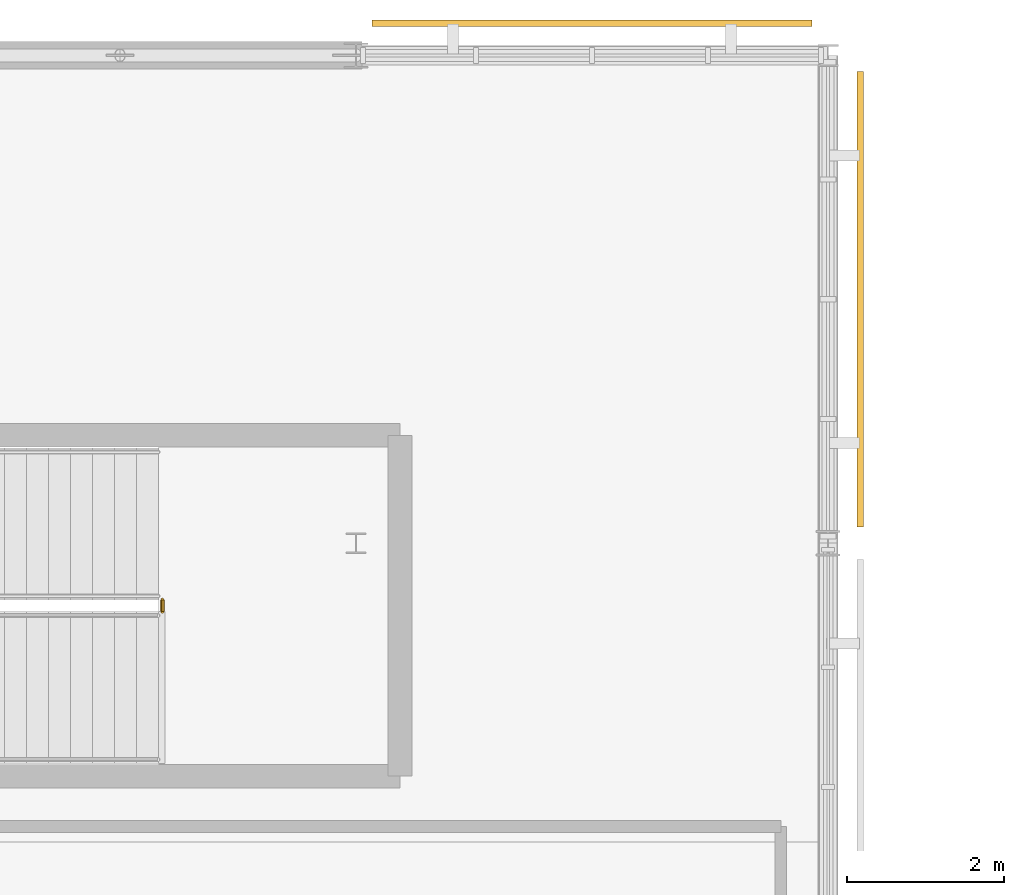
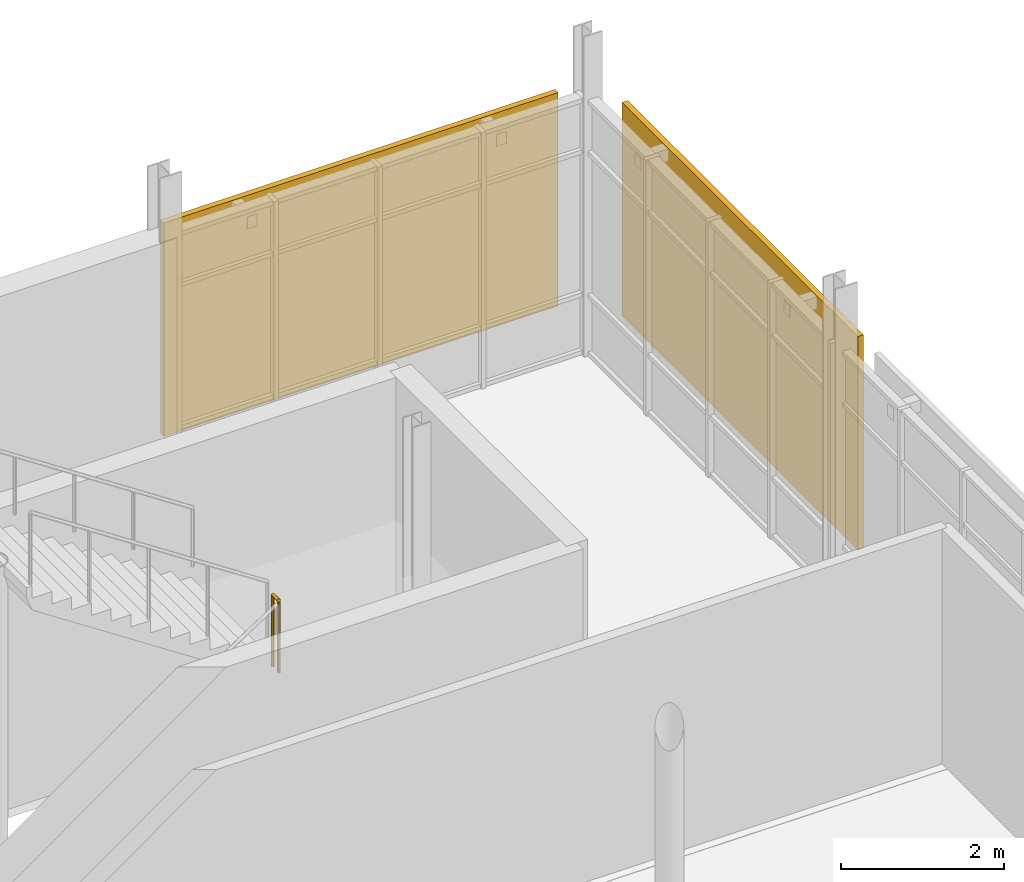
# One storey, part 84 of 84: 2 shading devices, 1 railing.
"""IFC4 building model written with IfcOpenShell, lengths in metres."""

from ifc_helpers import new_model, si_unit, direction, frame, origin, origin_2d, place, context, subcontext, project, spatial, rectangle, circle, extrude, material, layer, layer_set, type_object, element, save


model = new_model("IFC4")

# Units and contexts
model_context = context("Model", 3, precision=1e-05, world=origin(), true_north=direction((0.0, 1.0)))
body_context = subcontext(model_context, "Body", "Model", "MODEL_VIEW")
ifc_project = project(units=[si_unit("LENGTHUNIT", "METRE"), si_unit("AREAUNIT", "SQUARE_METRE"), si_unit("VOLUMEUNIT", "CUBIC_METRE"), si_unit("PLANEANGLEUNIT", "RADIAN"), si_unit("MASSUNIT", "GRAM", prefix="KILO")], contexts=[model_context])

# Site, building, storey
site_placement = place(None, origin())
site = spatial("IfcSite", under=ifc_project, at=site_placement, CompositionType="ELEMENT")
building_placement = place(site_placement, origin())
building = spatial("IfcBuilding", under=site, at=building_placement, Name="Mirzam Square Science Centre", CompositionType="ELEMENT")
storey_placement = place(building_placement, frame((0.0, 0.0, 10.800048828125)))
storey = spatial("IfcBuildingStorey", under=building, at=storey_placement, Name="L02", CompositionType="ELEMENT", Elevation=10.800048828125)

# Railing
ifc_material_1 = material(Name="Bronze-Anodised Architectural Balustrade", Category="aluminium")
railing_type = type_object("IfcRailingType", Name="RL-INT-GUARD-1100", PredefinedType="GUARDRAIL", material=ifc_material_1)
railing_placement = place(storey_placement, frame((129.5400390625, 104.530029296875, 2.39990234375)))
element("IfcRailing", 1, at=railing_placement, inside=storey, type_object=railing_type, Name="L02 ST-11 stair guard 2", PredefinedType="GUARDRAIL", context=body_context, shape_type="SweptSolid", body=[
    extrude(circle(Radius=0.02392578125, at=origin_2d()), frame((0.0, 0.0, 1.076171875), z_axis=(0.0, 1.0, 0.0), x_axis=(-1.0, 0.0, 0.0)), (0.0, 0.0, 1.0), 0.14990234375),
    extrude(circle(Radius=0.02099609375, at=origin_2d()), origin(), (0.0, 0.0, 1.0), 1.052001953125),
    extrude(circle(Radius=0.02099609375, at=origin_2d()), frame((0.0, 0.14990234375, 0.0)), (0.0, 0.0, 1.0), 1.052001953125),
])

# Shading devices
ifc_material_2 = material(Name="Perforated Bronze-Anodised Aluminium Brise-Soleil", Category="aluminium")
ifc_layer = layer(ifc_material_2, 0.080078125)
ifc_layer_set = layer_set([ifc_layer], Name="SHD-BRISE-BRONZE")
shading_device_type = type_object("IfcShadingDeviceType", Name="SHD-BRISE-BRONZE", PredefinedType="JALOUSIE", material=ifc_layer_set)
shading_device_1_placement = place(storey_placement, frame((135.0, 112.010009765625, 0.48974609375), z_axis=(0.0, 0.0, 1.0), x_axis=(-1.0, 0.0, 0.0)))
element("IfcShadingDevice", 2, at=shading_device_1_placement, inside=storey, type_object=shading_device_type, Name="L02 bronze brise-soleil screen 104", PredefinedType="JALOUSIE", context=body_context, shape_type="SweptSolid", body=[
    extrude(rectangle(XDim=5.590087890625, YDim=0.080078125, at=origin_2d()), origin(), (0.0, 0.0, 1.0), 3.199951171875),
])
shading_device_2_placement = place(storey_placement, frame((138.409912109375, 108.5, 0.48974609375), z_axis=(0.0, 0.0, 1.0), x_axis=(0.0, 1.0, 0.0)))
element("IfcShadingDevice", 3, at=shading_device_2_placement, inside=storey, type_object=shading_device_type, Name="L02 bronze brise-soleil screen 112", PredefinedType="JALOUSIE", context=body_context, shape_type="SweptSolid", body=[
    extrude(rectangle(XDim=5.7900390625, YDim=0.080078125, at=origin_2d()), origin(), (0.0, 0.0, 1.0), 3.199951171875),
])

save(model, "model.ifc")
